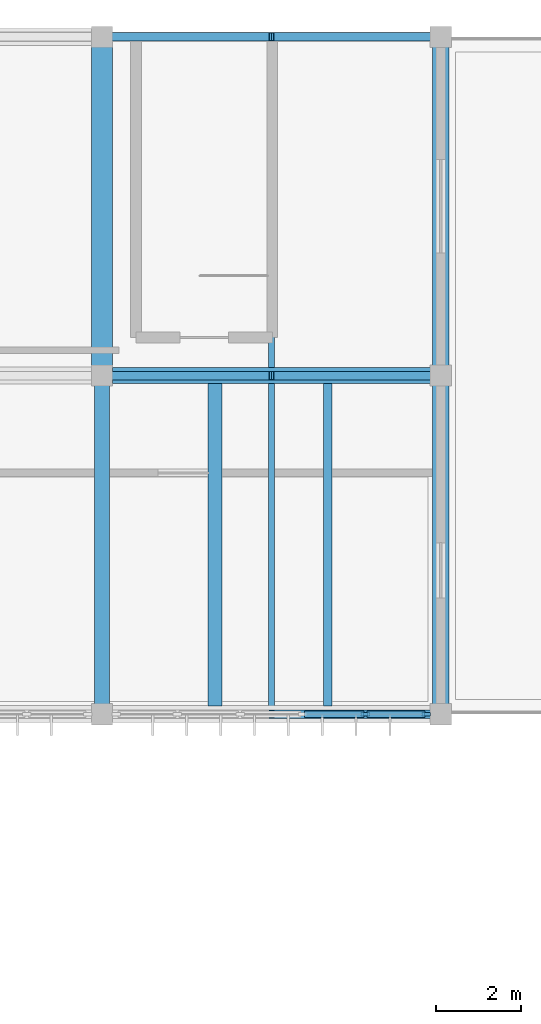
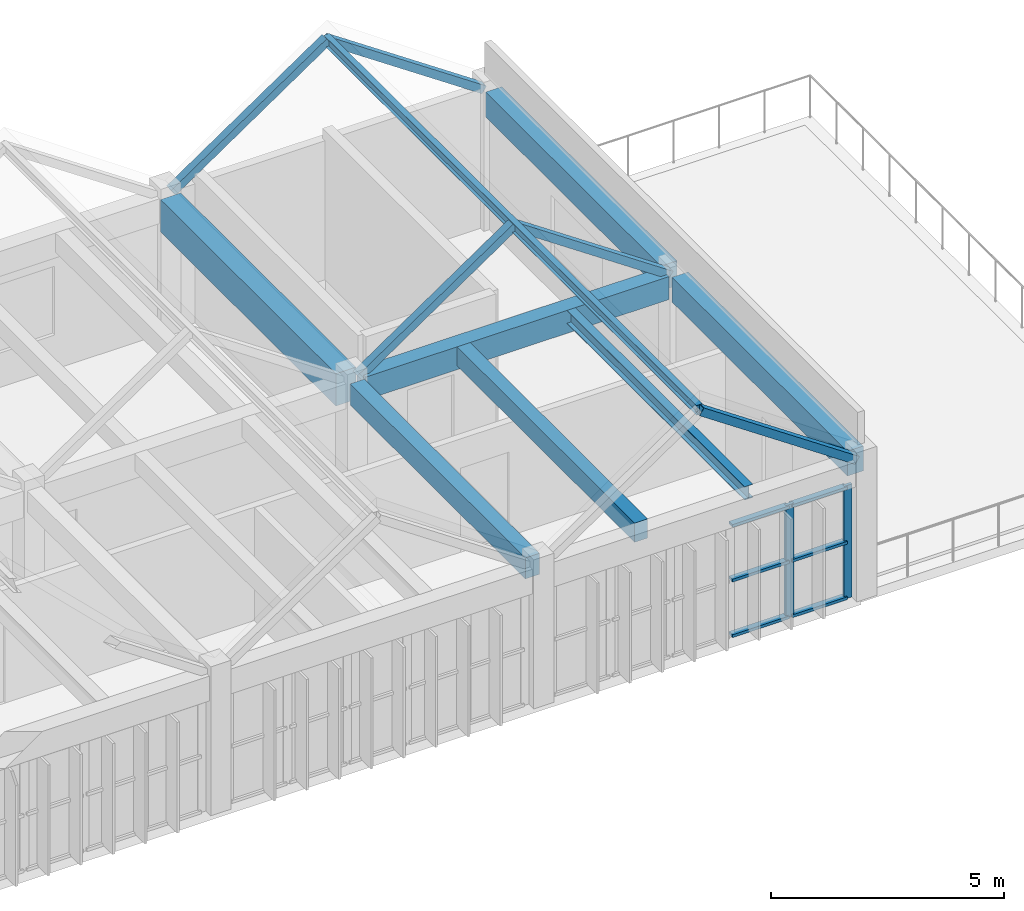
# One storey, part 13 of 31: 14 members, 7 beams, 1 element without a shape of its own.
"""IFC4 building model written with IfcOpenShell, lengths in metres."""

from ifc_helpers import new_model, si_unit, direction, frame, origin, origin_2d, place, context, subcontext, project, spatial, rectangle, hollow_rectangle, i_section, extrude, material, material_profile, profile_set, type_object, element, aggregate, save


model = new_model("IFC4")

# Units and contexts
model_context = context("Model", 3, precision=1e-05, world=origin(), true_north=direction((0.0, 1.0)))
body_context = subcontext(model_context, "Body", "Model", "MODEL_VIEW")
ifc_project = project(units=[si_unit("LENGTHUNIT", "METRE"), si_unit("AREAUNIT", "SQUARE_METRE"), si_unit("VOLUMEUNIT", "CUBIC_METRE"), si_unit("PLANEANGLEUNIT", "RADIAN"), si_unit("MASSUNIT", "GRAM", prefix="KILO")], contexts=[model_context])

# Site, building, storey
site_placement = place(None, origin())
site = spatial("IfcSite", under=ifc_project, at=site_placement, CompositionType="ELEMENT")
building_placement = place(site_placement, origin())
building = spatial("IfcBuilding", under=site, at=building_placement, Name="Tlaxcora Railside Police Headquarters", CompositionType="ELEMENT")
storey_placement = place(building_placement, frame((0.0, 0.0, 18.0)))
storey = spatial("IfcBuildingStorey", under=building, at=storey_placement, Name="L04", CompositionType="ELEMENT", Elevation=18.0)

# Curtain wall, members
ifc_material_1 = material(Name="Thermally broken low-E insulated glazing", Category="glass")
curtain_wall_type = type_object("IfcCurtainWallType", Name="Unitised Curtain Wall Assembly CW-15", PredefinedType="NOTDEFINED", material=ifc_material_1)
curtain_wall_placement = place(storey_placement, origin())
curtain_wall = element("IfcCurtainWall", 1, at=curtain_wall_placement, inside=storey, type_object=curtain_wall_type, Name="V6 L04 curtain wall 174", PredefinedType="NOTDEFINED")
ifc_material_2 = material(Name="Anodised aluminium framing", Category="aluminium")
ifc_material_profile_1 = material_profile(ifc_material_2, rectangle(XDim=0.074951171875, YDim=0.199951171875, at=origin_2d()), Name="AL75X200")
ifc_profile_set_1 = profile_set([ifc_material_profile_1], Name="Anodised aluminium framing")
member_type_1 = type_object("IfcMemberType", Name="Curtain Wall Mullion CW-58", PredefinedType="MULLION", material=ifc_profile_set_1)
member_1_placement = place(storey_placement, frame((141.02001953125, 76.800048828125, 0.0), z_axis=(0.0, 0.0, 1.0), x_axis=(0.0, 1.0, 0.0)))
member_1 = element("IfcMember", 2, at=member_1_placement, type_object=member_type_1, Name="CW mullion 5", PredefinedType="MULLION", context=body_context, shape_type="SweptSolid", body=[
    extrude(rectangle(XDim=0.074951171875, YDim=0.199951171875, at=origin_2d()), origin(), (0.0, 0.0, 1.0), 2.9599609375),
])
member_2_placement = place(storey_placement, frame((142.46240234375, 76.800048828125, 0.0), z_axis=(0.0, 0.0, 1.0), x_axis=(0.0, 1.0, 0.0)))
member_2 = element("IfcMember", 3, at=member_2_placement, type_object=member_type_1, Name="CW mullion 6", PredefinedType="MULLION", context=body_context, shape_type="SweptSolid", body=[
    extrude(rectangle(XDim=0.074951171875, YDim=0.199951171875, at=origin_2d()), origin(), (0.0, 0.0, 1.0), 2.9599609375),
])
ifc_material_profile_2 = material_profile(ifc_material_2, rectangle(XDim=0.14990234375, YDim=0.074951171875, at=origin_2d()), Name="AL75X150")
ifc_profile_set_2 = profile_set([ifc_material_profile_2], Name="Anodised aluminium framing")
member_type_2 = type_object("IfcMemberType", Name="Curtain Wall Transom CW-28", PredefinedType="USERDEFINED", material=ifc_profile_set_2)
member_3_placement = place(storey_placement, frame((139.577392578125, 76.800048828125, 0.03759765625), z_axis=(1.0, 0.0, 0.0), x_axis=(0.0, 1.0, 0.0)))
member_3 = element("IfcMember", 4, at=member_3_placement, type_object=member_type_2, Name="CW transom 4.1", ObjectType="TRANSOM", PredefinedType="USERDEFINED", context=body_context, shape_type="SweptSolid", body=[
    extrude(rectangle(XDim=0.14990234375, YDim=0.074951171875, at=origin_2d()), origin(), (0.0, 0.0, 1.0), 1.405029296875),
])
member_4_placement = place(storey_placement, frame((139.577392578125, 76.800048828125, 1.489990234375), z_axis=(1.0, 0.0, 0.0), x_axis=(0.0, 1.0, 0.0)))
member_4 = element("IfcMember", 5, at=member_4_placement, type_object=member_type_2, Name="CW transom 4.2", ObjectType="TRANSOM", PredefinedType="USERDEFINED", context=body_context, shape_type="SweptSolid", body=[
    extrude(rectangle(XDim=0.14990234375, YDim=0.074951171875, at=origin_2d()), origin(), (0.0, 0.0, 1.0), 1.405029296875),
])
member_5_placement = place(storey_placement, frame((139.577392578125, 76.800048828125, 2.922607421875), z_axis=(1.0, 0.0, 0.0), x_axis=(0.0, 1.0, 0.0)))
member_5 = element("IfcMember", 6, at=member_5_placement, type_object=member_type_2, Name="CW transom 4.3", ObjectType="TRANSOM", PredefinedType="USERDEFINED", context=body_context, shape_type="SweptSolid", body=[
    extrude(rectangle(XDim=0.14990234375, YDim=0.074951171875, at=origin_2d()), origin(), (0.0, 0.0, 1.0), 1.405029296875),
])
member_6_placement = place(storey_placement, frame((141.0576171875, 76.800048828125, 0.03759765625), z_axis=(1.0, 0.0, 0.0), x_axis=(0.0, 1.0, 0.0)))
member_6 = element("IfcMember", 7, at=member_6_placement, type_object=member_type_2, Name="CW transom 5.1", ObjectType="TRANSOM", PredefinedType="USERDEFINED", context=body_context, shape_type="SweptSolid", body=[
    extrude(rectangle(XDim=0.14990234375, YDim=0.074951171875, at=origin_2d()), origin(), (0.0, 0.0, 1.0), 1.367431640625),
])
member_7_placement = place(storey_placement, frame((141.0576171875, 76.800048828125, 1.489990234375), z_axis=(1.0, 0.0, 0.0), x_axis=(0.0, 1.0, 0.0)))
member_7 = element("IfcMember", 8, at=member_7_placement, type_object=member_type_2, Name="CW transom 5.2", ObjectType="TRANSOM", PredefinedType="USERDEFINED", context=body_context, shape_type="SweptSolid", body=[
    extrude(rectangle(XDim=0.14990234375, YDim=0.074951171875, at=origin_2d()), origin(), (0.0, 0.0, 1.0), 1.367431640625),
])
member_8_placement = place(storey_placement, frame((141.0576171875, 76.800048828125, 2.922607421875), z_axis=(1.0, 0.0, 0.0), x_axis=(0.0, 1.0, 0.0)))
member_8 = element("IfcMember", 9, at=member_8_placement, type_object=member_type_2, Name="CW transom 5.3", ObjectType="TRANSOM", PredefinedType="USERDEFINED", context=body_context, shape_type="SweptSolid", body=[
    extrude(rectangle(XDim=0.14990234375, YDim=0.074951171875, at=origin_2d()), origin(), (0.0, 0.0, 1.0), 1.367431640625),
])
aggregate(curtain_wall, [member_1, member_2, member_3, member_4, member_5, member_6, member_7, member_8])

# Members
ifc_material_3 = material(Name="Steel ASTM A992 Grade 50", Category="steel")
ifc_material_profile_3 = material_profile(ifc_material_3, hollow_rectangle(XDim=0.199951171875, YDim=0.199951171875, WallThickness=0.010009765625, at=origin_2d()), Name="HSS200X200X10")
ifc_profile_set_3 = profile_set([ifc_material_profile_3], Name="Steel ASTM A992 Grade 50")
member_type_3 = type_object("IfcMemberType", Name="Diagonal Brace Member MB-51", PredefinedType="BRACE", material=ifc_profile_set_3)
member_9_placement = place(storey_placement, frame((142.64990234375, 76.800048828125, 3.580078125), z_axis=(-0.826729475311, 0.0, 0.562599657529), x_axis=(0.0, -1.0, 0.0)))
element("IfcMember", 10, at=member_9_placement, inside=storey, type_object=member_type_3, Name="V6 rafter 5E", PredefinedType="BRACE", context=body_context, shape_type="SweptSolid", body=[
    extrude(hollow_rectangle(XDim=0.199951171875, YDim=0.199951171875, WallThickness=0.010009765625, at=origin_2d()), origin(), (0.0, 0.0, 1.0), 4.65673828125),
])
member_10_placement = place(storey_placement, frame((134.949951171875, 84.800048828125, 3.580078125), z_axis=(0.826746068504, 0.0, 0.562575273375), x_axis=(0.0, 1.0, 0.0)))
element("IfcMember", 11, at=member_10_placement, inside=storey, type_object=member_type_3, Name="V6 rafter 5W", PredefinedType="BRACE", context=body_context, shape_type="SweptSolid", body=[
    extrude(hollow_rectangle(XDim=0.199951171875, YDim=0.199951171875, WallThickness=0.010009765625, at=origin_2d()), origin(), (0.0, 0.0, 1.0), 4.656982421875),
])
member_11_placement = place(storey_placement, frame((142.64990234375, 84.800048828125, 3.580078125), z_axis=(-0.826729475311, 0.0, 0.562599657529), x_axis=(0.0, -1.0, 0.0)))
element("IfcMember", 12, at=member_11_placement, inside=storey, type_object=member_type_3, Name="V6 rafter 5E", PredefinedType="BRACE", context=body_context, shape_type="SweptSolid", body=[
    extrude(hollow_rectangle(XDim=0.199951171875, YDim=0.199951171875, WallThickness=0.010009765625, at=origin_2d()), origin(), (0.0, 0.0, 1.0), 4.65673828125),
])
member_12_placement = place(storey_placement, frame((134.949951171875, 92.800048828125, 3.580078125), z_axis=(0.826746068504, 0.0, 0.562575273375), x_axis=(0.0, 1.0, 0.0)))
element("IfcMember", 13, at=member_12_placement, inside=storey, type_object=member_type_3, Name="V6 rafter 5W", PredefinedType="BRACE", context=body_context, shape_type="SweptSolid", body=[
    extrude(hollow_rectangle(XDim=0.199951171875, YDim=0.199951171875, WallThickness=0.010009765625, at=origin_2d()), origin(), (0.0, 0.0, 1.0), 4.656982421875),
])
member_13_placement = place(storey_placement, frame((142.64990234375, 92.800048828125, 3.580078125), z_axis=(-0.826729475311, 0.0, 0.562599657529), x_axis=(0.0, -1.0, 0.0)))
element("IfcMember", 14, at=member_13_placement, inside=storey, type_object=member_type_3, Name="V6 rafter 5E", PredefinedType="BRACE", context=body_context, shape_type="SweptSolid", body=[
    extrude(hollow_rectangle(XDim=0.199951171875, YDim=0.199951171875, WallThickness=0.010009765625, at=origin_2d()), origin(), (0.0, 0.0, 1.0), 4.65673828125),
])

# Beams
ifc_material_4 = material(Name="Concrete C40/50", Category="concrete")
ifc_material_profile_4 = material_profile(ifc_material_4, rectangle(XDim=0.39990234375, YDim=0.64990234375, at=origin_2d()), Name="RC400X650")
ifc_profile_set_4 = profile_set([ifc_material_profile_4], Name="Concrete C40/50")
beam_type_1 = type_object("IfcBeamType", Name="Perimeter Spandrel Beam BM-46", PredefinedType="SPANDREL", material=ifc_profile_set_4)
for number, where, z_axis, x_axis, name in (
    (15, (142.800048828125, 77.0400390625, 3.304931640625), (0.0, 1.0, 0.0), (-1.0, 0.0, 0.0), "V6 L04 Y-girder X=142.8"),
    (16, (142.800048828125, 85.0400390625, 3.304931640625), (0.0, 1.0, 0.0), (-1.0, 0.0, 0.0), "V6 L04 Y-girder X=142.8"),
):
    element("IfcBeam", number, at=place(storey_placement, frame(where, z_axis=z_axis, x_axis=x_axis)), inside=storey, type_object=beam_type_1, Name=name, PredefinedType="SPANDREL", context=body_context, shape_type="SweptSolid", body=[
        extrude(rectangle(XDim=0.39990234375, YDim=0.64990234375, at=origin_2d()), origin(), (0.0, 0.0, 1.0), 7.52001953125),
    ])
ifc_material_profile_5 = material_profile(ifc_material_4, rectangle(XDim=0.3798828125, YDim=0.60009765625, at=origin_2d()), Name="RC380X600")
ifc_profile_set_5 = profile_set([ifc_material_profile_5], Name="Concrete C40/50")
beam_type_2 = type_object("IfcBeamType", Name="Primary Frame Girder BM-22", PredefinedType="BEAM", material=ifc_profile_set_5)
beam_1_placement = place(storey_placement, frame((135.0400390625, 84.800048828125, 3.330078125), z_axis=(1.0, 0.0, 0.0), x_axis=(0.0, 1.0, 0.0)))
element("IfcBeam", 17, at=beam_1_placement, inside=storey, type_object=beam_type_2, Name="V6 L04 X-girder Y=84.8", PredefinedType="BEAM", context=body_context, shape_type="SweptSolid", body=[
    extrude(rectangle(XDim=0.3798828125, YDim=0.60009765625, at=origin_2d()), origin(), (0.0, 0.0, 1.0), 7.52001953125),
])
ifc_material_profile_6 = material_profile(ifc_material_4, rectangle(XDim=0.35009765625, YDim=0.550048828125, at=origin_2d()), Name="RC350X550")
ifc_profile_set_6 = profile_set([ifc_material_profile_6], Name="Concrete C40/50")
beam_type_3 = type_object("IfcBeamType", Name="Primary Frame Girder BM-39", PredefinedType="BEAM", material=ifc_profile_set_6)
beam_2_placement = place(storey_placement, frame((134.800048828125, 77.0400390625, 3.35498046875), z_axis=(0.0, 1.0, 0.0), x_axis=(-1.0, 0.0, 0.0)))
element("IfcBeam", 18, at=beam_2_placement, inside=storey, type_object=beam_type_3, Name="V6 L04 Y-girder X=134.8", PredefinedType="BEAM", context=body_context, shape_type="SweptSolid", body=[
    extrude(rectangle(XDim=0.35009765625, YDim=0.550048828125, at=origin_2d()), origin(), (0.0, 0.0, 1.0), 7.52001953125),
])
ifc_material_profile_7 = material_profile(ifc_material_4, rectangle(XDim=0.5, YDim=0.85009765625, at=origin_2d()), Name="RC500X850")
ifc_profile_set_7 = profile_set([ifc_material_profile_7], Name="Concrete C40/50")
beam_type_4 = type_object("IfcBeamType", Name="Primary Frame Girder BM-64", PredefinedType="BEAM", material=ifc_profile_set_7)
beam_3_placement = place(storey_placement, frame((134.800048828125, 85.0400390625, 3.205078125), z_axis=(0.0, 1.0, 0.0), x_axis=(-1.0, 0.0, 0.0)))
element("IfcBeam", 19, at=beam_3_placement, inside=storey, type_object=beam_type_4, Name="V6 L04 Y-girder X=134.8", PredefinedType="BEAM", context=body_context, shape_type="SweptSolid", body=[
    extrude(rectangle(XDim=0.5, YDim=0.85009765625, at=origin_2d()), origin(), (0.0, 0.0, 1.0), 7.52001953125),
])

# Member
ifc_material_profile_8 = material_profile(ifc_material_3, i_section(OverallWidth=0.14599609375, OverallDepth=0.258056640625, WebThickness=0.006103515625, FlangeThickness=0.009033203125, at=origin_2d()), Name="W10X22")
ifc_profile_set_8 = profile_set([ifc_material_profile_8], Name="Steel ASTM A992 Grade 50")
member_type_4 = type_object("IfcMemberType", Name="Roof Purlin Member MB-93", PredefinedType="PURLIN", material=ifc_profile_set_8)
member_14_placement = place(storey_placement, frame((138.800048828125, 76.800048828125, 6.199951171875), z_axis=(0.0, 1.0, 0.0), x_axis=(-1.0, 0.0, 0.0)))
element("IfcMember", 20, at=member_14_placement, inside=storey, type_object=member_type_4, Name="V6 northlight ridge purlin 5", PredefinedType="PURLIN", context=body_context, shape_type="SweptSolid", body=[
    extrude(i_section(OverallWidth=0.14599609375, OverallDepth=0.258056640625, WebThickness=0.006103515625, FlangeThickness=0.009033203125, at=origin_2d()), origin(), (0.0, 0.0, 1.0), 16.0),
])

# Beams
ifc_material_profile_9 = material_profile(ifc_material_3, i_section(OverallWidth=0.2041015625, OverallDepth=0.35009765625, WebThickness=0.008544921875, FlangeThickness=0.01513671875, at=origin_2d()), Name="W14X48")
ifc_profile_set_9 = profile_set([ifc_material_profile_9], Name="Steel ASTM A992 Grade 50")
beam_type_5 = type_object("IfcBeamType", Name="Secondary Floor Joist BM-65", PredefinedType="JOIST", material=ifc_profile_set_9)
beam_4_placement = place(storey_placement, frame((140.13330078125, 76.991943359375, 3.455078125), z_axis=(0.0, 1.0, 0.0), x_axis=(-1.0, 0.0, 0.0)))
element("IfcBeam", 21, at=beam_4_placement, inside=storey, type_object=beam_type_5, Name="V6 L04 floor joist X=140.13", PredefinedType="JOIST", context=body_context, shape_type="SweptSolid", body=[
    extrude(i_section(OverallWidth=0.2041015625, OverallDepth=0.35009765625, WebThickness=0.008544921875, FlangeThickness=0.01513671875, at=origin_2d()), origin(), (0.0, 0.0, 1.0), 7.6259765625),
])
ifc_material_5 = material(Name="Concrete C35/45", Category="concrete")
ifc_material_profile_10 = material_profile(ifc_material_5, rectangle(XDim=0.320068359375, YDim=0.5, at=origin_2d()), Name="RC320X500")
ifc_profile_set_10 = profile_set([ifc_material_profile_10], Name="Concrete C35/45")
beam_type_6 = type_object("IfcBeamType", Name="Secondary Floor Joist BM-88", PredefinedType="JOIST", material=ifc_profile_set_10)
beam_5_placement = place(storey_placement, frame((137.466796875, 76.991943359375, 3.3798828125), z_axis=(0.0, 1.0, 0.0), x_axis=(-1.0, 0.0, 0.0)))
element("IfcBeam", 22, at=beam_5_placement, inside=storey, type_object=beam_type_6, Name="V6 L04 floor joist X=137.47", PredefinedType="JOIST", context=body_context, shape_type="SweptSolid", body=[
    extrude(rectangle(XDim=0.320068359375, YDim=0.5, at=origin_2d()), origin(), (0.0, 0.0, 1.0), 7.6259765625),
])

save(model, "model.ifc")
